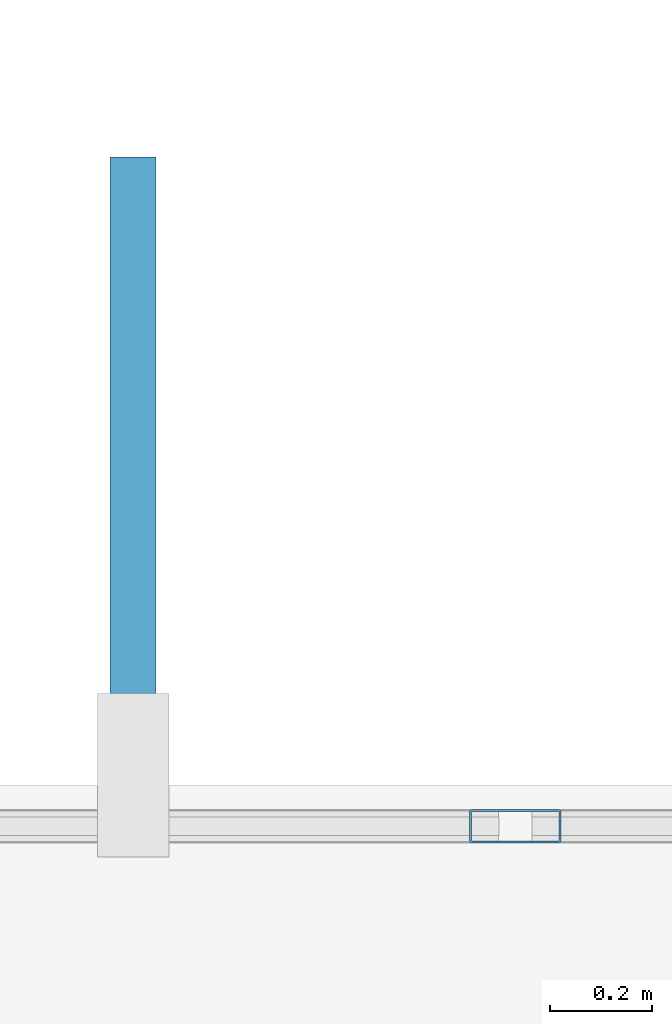
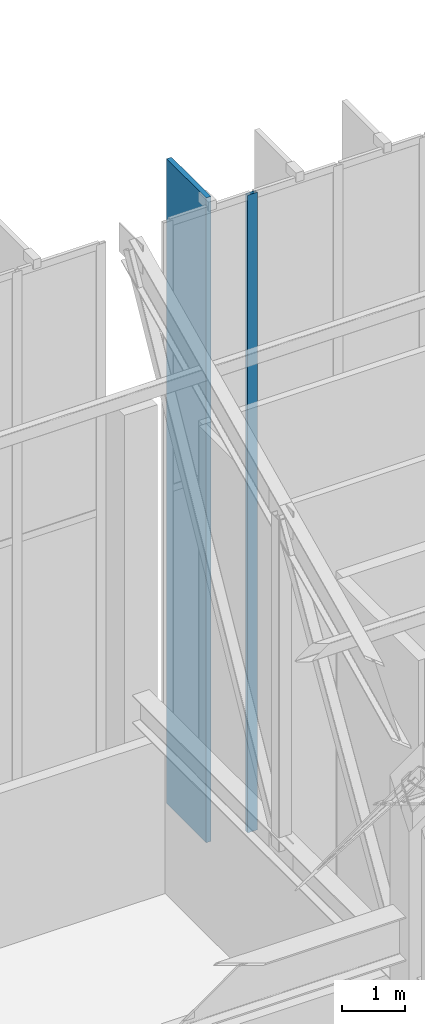
# One storey, part 36 of 68: 2 members, 1 element without a shape of its own.
"""IFC4 building model written with IfcOpenShell, lengths in metres."""

from ifc_helpers import new_model, si_unit, direction, frame, origin, origin_2d, place, context, subcontext, project, spatial, rectangle, hollow_rectangle, extrude, material, material_profile, profile_set, type_object, element, aggregate, save


model = new_model("IFC4")

# Units and contexts
model_context = context("Model", 3, precision=1e-05, world=origin(), true_north=direction((0.0, 1.0)))
body_context = subcontext(model_context, "Body", "Model", "MODEL_VIEW")
ifc_project = project(units=[si_unit("LENGTHUNIT", "METRE"), si_unit("AREAUNIT", "SQUARE_METRE"), si_unit("VOLUMEUNIT", "CUBIC_METRE"), si_unit("PLANEANGLEUNIT", "RADIAN"), si_unit("MASSUNIT", "GRAM", prefix="KILO")], contexts=[model_context])

# Site, building, storey
site_placement = place(None, origin())
site = spatial("IfcSite", under=ifc_project, at=site_placement, CompositionType="ELEMENT")
building_placement = place(site_placement, origin())
building = spatial("IfcBuilding", under=site, at=building_placement, Name="Miravela Opera House", CompositionType="ELEMENT")
storey_placement = place(building_placement, frame((0.0, 0.0, 21.760009765625)))
storey = spatial("IfcBuildingStorey", under=building, at=storey_placement, Name="L05", CompositionType="ELEMENT", Elevation=21.760009765625)

# Curtain wall, member
ifc_material = material(Name="Anodised architectural bronze aluminium 6063-T6", Category="aluminium")
curtain_wall_type = type_object("IfcCurtainWallType", Name="ARC-CW-03", PredefinedType="NOTDEFINED", material=ifc_material)
curtain_wall_placement = place(storey_placement, origin())
curtain_wall = element("IfcCurtainWall", 1, at=curtain_wall_placement, inside=storey, type_object=curtain_wall_type, Name="Auditorium North Wrapper Glazing CW-L05-061", PredefinedType="NOTDEFINED")
ifc_material_profile_1 = material_profile(ifc_material, hollow_rectangle(XDim=0.06494140625, YDim=0.179931640625, WallThickness=0.00390625, InnerFilletRadius=0.001953125, OuterFilletRadius=0.00390625, at=origin_2d()), Name="CWM-65X180")
ifc_profile_set_1 = profile_set([ifc_material_profile_1])
member_type_1 = type_object("IfcMemberType", Name="ARC-CWM-180", PredefinedType="MULLION", material=ifc_profile_set_1)
member_1_placement = place(storey_placement, frame((38.14794921875, 74.919921875, 0.0), z_axis=(0.0, 0.0, 1.0), x_axis=(0.0, 1.0, 0.0)))
member_1 = element("IfcMember", 2, at=member_1_placement, type_object=member_type_1, Name="CW-03 mullion 2", PredefinedType="MULLION", context=body_context, shape_type="SweptSolid", body=[
    extrude(hollow_rectangle(XDim=0.06494140625, YDim=0.179931640625, WallThickness=0.00390625, InnerFilletRadius=0.001953125, OuterFilletRadius=0.00390625, at=origin_2d()), origin(), (0.0, 0.0, 1.0), 12.31005859375),
])
aggregate(curtain_wall, [member_1])

# Member
ifc_material_profile_2 = material_profile(ifc_material, rectangle(XDim=0.090087890625, YDim=1.25, at=origin_2d()), Name="FIN-1250X90")
ifc_profile_set_2 = profile_set([ifc_material_profile_2])
member_type_2 = type_object("IfcMemberType", Name="ARC-FIN-1250", PredefinedType="USERDEFINED", material=ifc_profile_set_2)
member_2_placement = place(storey_placement, frame((37.39990234375, 75.60498046875, 0.0), z_axis=(0.0, 0.0, 1.0), x_axis=(1.0, 0.0, 0.0)))
element("IfcMember", 3, at=member_2_placement, inside=storey, type_object=member_type_2, Name="Auditorium Wrapper Bronze Solar Fin FIN-L05-NORTH-0187", ObjectType="FIN", PredefinedType="USERDEFINED", context=body_context, shape_type="SweptSolid", body=[
    extrude(rectangle(XDim=0.090087890625, YDim=1.25, at=origin_2d()), origin(), (0.0, 0.0, 1.0), 12.449951171875),
])

save(model, "model.ifc")
